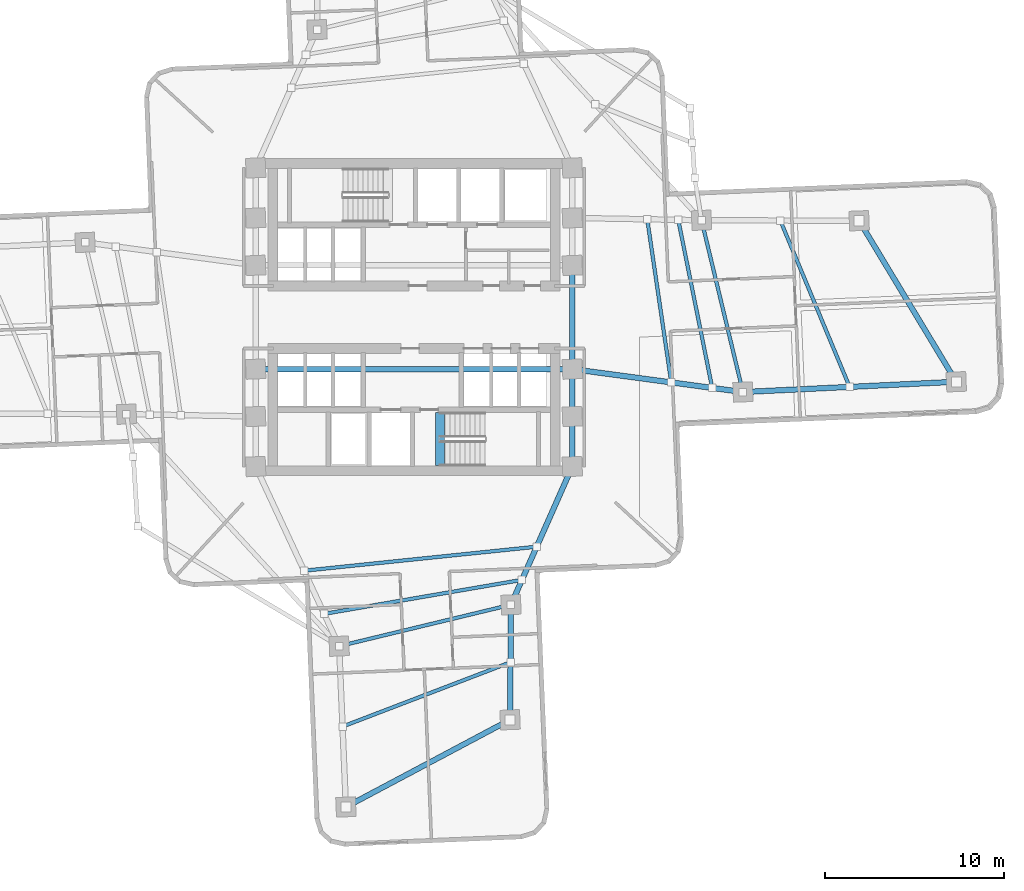
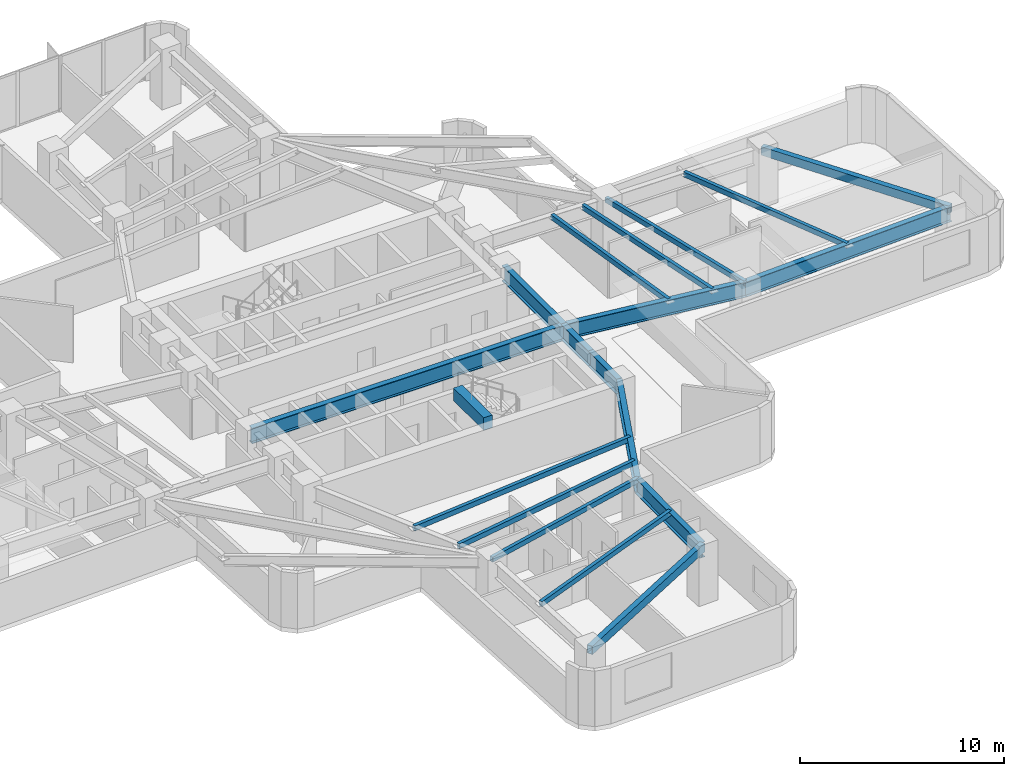
# One storey, part 3 of 15: 19 beams.
"""IFC4 building model written with IfcOpenShell, lengths in metres."""

from ifc_helpers import new_model, si_unit, direction, frame, origin, origin_2d, place, context, subcontext, project, spatial, rectangle, hollow_rectangle, i_section, extrude, material, material_profile, profile_set, type_object, element, save


model = new_model("IFC4")

# Units and contexts
model_context = context("Model", 3, precision=1e-05, world=origin(), true_north=direction((0.0, 1.0)))
body_context = subcontext(model_context, "Body", "Model", "MODEL_VIEW")
ifc_project = project(units=[si_unit("LENGTHUNIT", "METRE"), si_unit("AREAUNIT", "SQUARE_METRE"), si_unit("VOLUMEUNIT", "CUBIC_METRE"), si_unit("PLANEANGLEUNIT", "RADIAN"), si_unit("MASSUNIT", "GRAM", prefix="KILO")], contexts=[model_context])

# Site, building, storey
site_placement = place(None, origin())
site = spatial("IfcSite", under=ifc_project, at=site_placement, CompositionType="ELEMENT")
building_placement = place(site_placement, origin())
building = spatial("IfcBuilding", under=site, at=building_placement, Name="Solmarez Civic Tower", CompositionType="ELEMENT")
storey_placement = place(building_placement, frame((0.0, 0.0, 46.080078125)))
storey = spatial("IfcBuildingStorey", under=building, at=storey_placement, Name="L11", CompositionType="ELEMENT", Elevation=46.080078125)

# Beams
ifc_material_1 = material(Name="Steel S355", Category="steel")
ifc_material_profile_1 = material_profile(ifc_material_1, hollow_rectangle(XDim=0.199951171875, YDim=0.300048828125, WallThickness=0.011962890625, at=origin_2d()), Name="HSS300X200X12")
ifc_profile_set_1 = profile_set([ifc_material_profile_1], Name="Steel S355")
beam_type_1 = type_object("IfcBeamType", Name="BM-JS-HSS300X200", PredefinedType="JOIST", material=ifc_profile_set_1)
beam_1_placement = place(storey_placement, frame((18.39111328125, -4.18408203125, 3.169921875), z_axis=(-0.234328919867, 0.97215737271, 0.0), x_axis=(-0.97215737271, -0.234328919867, 0.0)))
element("IfcBeam", 1, at=beam_1_placement, inside=storey, type_object=beam_type_1, Name="L11 Secondary Floor Joist BM-L11-EA-T1", PredefinedType="JOIST", context=body_context, shape_type="SweptSolid", body=[
    extrude(hollow_rectangle(XDim=0.199951171875, YDim=0.300048828125, WallThickness=0.011962890625, at=origin_2d()), origin(), (0.0, 0.0, 1.0), 9.880126953125),
])
beam_2_placement = place(storey_placement, frame((24.35498046875, -3.89697265625, 3.169921875), z_axis=(-0.384310898391, 0.923203733408, 0.0), x_axis=(-0.923203733408, -0.384310898391, 0.0)))
element("IfcBeam", 2, at=beam_2_placement, inside=storey, type_object=beam_type_1, Name="L11 Secondary Floor Joist JS-L11-EA-M2", PredefinedType="JOIST", context=body_context, shape_type="SweptSolid", body=[
    extrude(hollow_rectangle(XDim=0.199951171875, YDim=0.300048828125, WallThickness=0.011962890625, at=origin_2d()), origin(), (0.0, 0.0, 1.0), 10.077880859375),
])
beam_3_placement = place(storey_placement, frame((14.384033203125, -3.64501953125, 3.169921875), z_axis=(-0.145687649447, 0.989330636743, 0.0), x_axis=(-0.989330636743, -0.145687649447, 0.0)))
element("IfcBeam", 3, at=beam_3_placement, inside=storey, type_object=beam_type_1, Name="L11 Secondary Floor Joist JS-L11-EA-M11", PredefinedType="JOIST", context=body_context, shape_type="SweptSolid", body=[
    extrude(hollow_rectangle(XDim=0.199951171875, YDim=0.300048828125, WallThickness=0.011962890625, at=origin_2d()), origin(), (0.0, 0.0, 1.0), 9.218505859375),
])
beam_4_placement = place(storey_placement, frame((16.674072265625, -3.952880859375, 3.169921875), z_axis=(-0.198099134772, 0.980181989634, 0.0), x_axis=(-0.980181989634, -0.198099134772, 0.0)))
element("IfcBeam", 4, at=beam_4_placement, inside=storey, type_object=beam_type_1, Name="L11 Secondary Floor Joist JS-L11-EA-M12", PredefinedType="JOIST", context=body_context, shape_type="SweptSolid", body=[
    extrude(hollow_rectangle(XDim=0.199951171875, YDim=0.300048828125, WallThickness=0.011962890625, at=origin_2d()), origin(), (0.0, 0.0, 1.0), 9.5869140625),
])
beam_5_placement = place(storey_placement, frame((-4.18408203125, -18.39111328125, 3.169921875), z_axis=(0.97215737271, 0.234328919867, 0.0), x_axis=(-0.234328919867, 0.97215737271, 0.0)))
element("IfcBeam", 5, at=beam_5_placement, inside=storey, type_object=beam_type_1, Name="L11 Secondary Floor Joist BM-L11-SA-T1", PredefinedType="JOIST", context=body_context, shape_type="SweptSolid", body=[
    extrude(hollow_rectangle(XDim=0.199951171875, YDim=0.300048828125, WallThickness=0.011962890625, at=origin_2d()), origin(), (0.0, 0.0, 1.0), 9.880126953125),
])
beam_6_placement = place(storey_placement, frame((-3.9951171875, -22.886962890625, 3.169921875), z_axis=(0.933878315551, 0.357590955903, 0.0), x_axis=(-0.357590955903, 0.933878315551, 0.0)))
element("IfcBeam", 6, at=beam_6_placement, inside=storey, type_object=beam_type_1, Name="L11 Secondary Floor Joist JS-L11-SA-M2", PredefinedType="JOIST", context=body_context, shape_type="SweptSolid", body=[
    extrude(hollow_rectangle(XDim=0.199951171875, YDim=0.300048828125, WallThickness=0.011962890625, at=origin_2d()), origin(), (0.0, 0.0, 1.0), 10.05615234375),
])
beam_7_placement = place(storey_placement, frame((-6.14404296875, -14.174072265625, 3.169921875), z_axis=(0.9947100999, 0.102722038325, 0.0), x_axis=(-0.102722038325, 0.9947100999, 0.0)))
element("IfcBeam", 7, at=beam_7_placement, inside=storey, type_object=beam_type_1, Name="L11 Secondary Floor Joist JS-L11-SA-M11", PredefinedType="JOIST", context=body_context, shape_type="SweptSolid", body=[
    extrude(hollow_rectangle(XDim=0.199951171875, YDim=0.300048828125, WallThickness=0.011962890625, at=origin_2d()), origin(), (0.0, 0.0, 1.0), 13.07421875),
])
beam_8_placement = place(storey_placement, frame((-5.02392578125, -16.583984375, 3.169921875), z_axis=(0.985583934907, 0.169187195889, 0.0), x_axis=(-0.169187195889, 0.985583934907, 0.0)))
element("IfcBeam", 8, at=beam_8_placement, inside=storey, type_object=beam_type_1, Name="L11 Secondary Floor Joist JS-L11-SA-M12", PredefinedType="JOIST", context=body_context, shape_type="SweptSolid", body=[
    extrude(hollow_rectangle(XDim=0.199951171875, YDim=0.300048828125, WallThickness=0.011962890625, at=origin_2d()), origin(), (0.0, 0.0, 1.0), 11.223876953125),
])
ifc_material_2 = material(Name="Concrete C50/60", Category="concrete")
ifc_material_profile_2 = material_profile(ifc_material_2, rectangle(XDim=0.5, YDim=0.75, at=origin_2d()), Name="RC500X750")
ifc_profile_set_2 = profile_set([ifc_material_profile_2], Name="Concrete C50/60")
beam_type_2 = type_object("IfcBeamType", Name="BM-PR-RC500X750", PredefinedType="BEAM", material=ifc_profile_set_2)
beam_9_placement = place(storey_placement, frame((1.449951171875, -8.300048828125, 3.23291015625), z_axis=(0.0, 1.0, 0.0), x_axis=(-1.0, 0.0, 0.0)))
element("IfcBeam", 9, at=beam_9_placement, inside=storey, type_object=beam_type_2, Name="L11 South Stair Threshold Beam", PredefinedType="BEAM", context=body_context, shape_type="SweptSolid", body=[
    extrude(rectangle(XDim=0.5, YDim=0.75, at=origin_2d()), origin(), (0.0, 0.0, 1.0), 2.9599609375),
])
ifc_material_profile_3 = material_profile(ifc_material_1, i_section(OverallWidth=0.303955078125, OverallDepth=0.910888671875, WebThickness=0.015869140625, FlangeThickness=0.02392578125, at=origin_2d()), Name="W36X150")
ifc_profile_set_3 = profile_set([ifc_material_profile_3], Name="Steel S355")
beam_type_3 = type_object("IfcBeamType", Name="BM-PR-W36X150", PredefinedType="BEAM", material=ifc_profile_set_3)
beam_10_placement = place(storey_placement, frame((8.85009765625, -2.89990234375, 2.864013671875), z_axis=(0.991063240718, -0.133392851745, 0.0), x_axis=(0.133392851745, 0.991063240718, 0.0)))
element("IfcBeam", 10, at=beam_10_placement, inside=storey, type_object=beam_type_3, Name="L11 Primary Floor Beam BM-L11-EA-R1A", PredefinedType="BEAM", context=body_context, shape_type="SweptSolid", body=[
    extrude(i_section(OverallWidth=0.303955078125, OverallDepth=0.910888671875, WebThickness=0.015869140625, FlangeThickness=0.02392578125, at=origin_2d()), origin(), (0.0, 0.0, 1.0), 9.626953125),
])
beam_11_placement = place(storey_placement, frame((18.39111328125, -4.18408203125, 2.864013671875), z_axis=(0.998839135977, 0.048170327398, 0.0), x_axis=(-0.048170327398, 0.998839135977, 0.0)))
element("IfcBeam", 11, at=beam_11_placement, inside=storey, type_object=beam_type_3, Name="L11 Primary Floor Beam BM-L11-EA-R2A", PredefinedType="BEAM", context=body_context, shape_type="SweptSolid", body=[
    extrude(i_section(OverallWidth=0.303955078125, OverallDepth=0.910888671875, WebThickness=0.015869140625, FlangeThickness=0.02392578125, at=origin_2d()), origin(), (0.0, 0.0, 1.0), 11.94091796875),
])
beam_12_placement = place(storey_placement, frame((8.85009765625, -8.35009765625, 2.864013671875), z_axis=(-0.405693556952, -0.914009156326, 0.0), x_axis=(0.914009156326, -0.405693556952, 0.0)))
element("IfcBeam", 12, at=beam_12_placement, inside=storey, type_object=beam_type_3, Name="L11 Primary Floor Beam BM-L11-SA-R1B", PredefinedType="BEAM", context=body_context, shape_type="SweptSolid", body=[
    extrude(i_section(OverallWidth=0.303955078125, OverallDepth=0.910888671875, WebThickness=0.015869140625, FlangeThickness=0.02392578125, at=origin_2d()), origin(), (0.0, 0.0, 1.0), 8.45263671875),
])
beam_13_placement = place(storey_placement, frame((5.4208984375, -16.075927734375, 2.864013671875), z_axis=(-0.007592219108, -0.999971178689, 0.0), x_axis=(0.999971178689, -0.007592219108, 0.0)))
element("IfcBeam", 13, at=beam_13_placement, inside=storey, type_object=beam_type_3, Name="L11 Primary Floor Beam BM-L11-SA-R2B", PredefinedType="BEAM", context=body_context, shape_type="SweptSolid", body=[
    extrude(i_section(OverallWidth=0.303955078125, OverallDepth=0.910888671875, WebThickness=0.015869140625, FlangeThickness=0.02392578125, at=origin_2d()), origin(), (0.0, 0.0, 1.0), 6.431396484375),
])
ifc_material_profile_4 = material_profile(ifc_material_1, i_section(OverallWidth=0.306884765625, OverallDepth=0.927001953125, WebThickness=0.019287109375, FlangeThickness=0.031982421875, at=origin_2d()), Name="W36X194")
ifc_profile_set_4 = profile_set([ifc_material_profile_4], Name="Steel S355")
beam_type_4 = type_object("IfcBeamType", Name="BM-PR-W36X194", PredefinedType="BEAM", material=ifc_profile_set_4)
beam_14_placement = place(storey_placement, frame((8.85009765625, -8.35009765625, 2.85595703125), z_axis=(0.0, 1.0, 0.0), x_axis=(-1.0, 0.0, 0.0)))
element("IfcBeam", 14, at=beam_14_placement, inside=storey, type_object=beam_type_4, Name="L11 Primary Floor Beam BM-L11-HC10-HC5", PredefinedType="BEAM", context=body_context, shape_type="SweptSolid", body=[
    extrude(i_section(OverallWidth=0.306884765625, OverallDepth=0.927001953125, WebThickness=0.019287109375, FlangeThickness=0.031982421875, at=origin_2d()), origin(), (0.0, 0.0, 1.0), 2.800048828125),
])
beam_15_placement = place(storey_placement, frame((8.85009765625, -5.550048828125, 2.85595703125), z_axis=(0.0, 1.0, 0.0), x_axis=(-1.0, 0.0, 0.0)))
element("IfcBeam", 15, at=beam_15_placement, inside=storey, type_object=beam_type_4, Name="L11 Primary Floor Beam BM-L11-HC5-HC6", PredefinedType="BEAM", context=body_context, shape_type="SweptSolid", body=[
    extrude(i_section(OverallWidth=0.306884765625, OverallDepth=0.927001953125, WebThickness=0.019287109375, FlangeThickness=0.031982421875, at=origin_2d()), origin(), (0.0, 0.0, 1.0), 2.650146484375),
])
beam_16_placement = place(storey_placement, frame((8.85009765625, -2.89990234375, 2.85595703125), z_axis=(0.0, 1.0, 0.0), x_axis=(-1.0, 0.0, 0.0)))
element("IfcBeam", 16, at=beam_16_placement, inside=storey, type_object=beam_type_4, Name="L11 Primary Floor Beam BM-L11-HC6-HC7", PredefinedType="BEAM", context=body_context, shape_type="SweptSolid", body=[
    extrude(i_section(OverallWidth=0.306884765625, OverallDepth=0.927001953125, WebThickness=0.019287109375, FlangeThickness=0.031982421875, at=origin_2d()), origin(), (0.0, 0.0, 1.0), 5.7998046875),
])
beam_17_placement = place(storey_placement, frame((-8.85009765625, -2.89990234375, 2.85595703125), z_axis=(1.0, 0.0, 0.0), x_axis=(0.0, 1.0, 0.0)))
element("IfcBeam", 17, at=beam_17_placement, inside=storey, type_object=beam_type_4, Name="L11 Primary Floor Beam BM-L11-HC2-HC6", PredefinedType="BEAM", context=body_context, shape_type="SweptSolid", body=[
    extrude(i_section(OverallWidth=0.306884765625, OverallDepth=0.927001953125, WebThickness=0.019287109375, FlangeThickness=0.031982421875, at=origin_2d()), origin(), (0.0, 0.0, 1.0), 17.7001953125),
])
ifc_material_profile_5 = material_profile(ifc_material_1, hollow_rectangle(XDim=0.300048828125, YDim=0.5, WallThickness=0.02001953125, at=origin_2d()), Name="HSS500X300X20")
ifc_profile_set_5 = profile_set([ifc_material_profile_5], Name="Steel S355")
beam_type_5 = type_object("IfcBeamType", Name="BM-SP-HSS500X300", PredefinedType="SPANDREL", material=ifc_profile_set_5)
beam_18_placement = place(storey_placement, frame((30.318115234375, -3.60888671875, 3.06982421875), z_axis=(-0.516522901024, 0.856273374991, 0.0), x_axis=(-0.856273374991, -0.516522901024, 0.0)))
element("IfcBeam", 18, at=beam_18_placement, inside=storey, type_object=beam_type_5, Name="L11 Perimeter Spandrel Beam BM-L11-EA-T2", PredefinedType="SPANDREL", context=body_context, shape_type="SweptSolid", body=[
    extrude(hollow_rectangle(XDim=0.300048828125, YDim=0.5, WallThickness=0.02001953125, at=origin_2d()), origin(), (0.0, 0.0, 1.0), 10.512939453125),
])
beam_19_placement = place(storey_placement, frame((-3.806884765625, -27.383056640625, 3.06982421875), z_axis=(0.883129404808, 0.469129464394, 0.0), x_axis=(-0.469129464394, 0.883129404808, 0.0)))
element("IfcBeam", 19, at=beam_19_placement, inside=storey, type_object=beam_type_5, Name="L11 Perimeter Spandrel Beam BM-L11-SA-T2", PredefinedType="SPANDREL", context=body_context, shape_type="SweptSolid", body=[
    extrude(hollow_rectangle(XDim=0.300048828125, YDim=0.5, WallThickness=0.02001953125, at=origin_2d()), origin(), (0.0, 0.0, 1.0), 10.3935546875),
])

save(model, "model.ifc")
